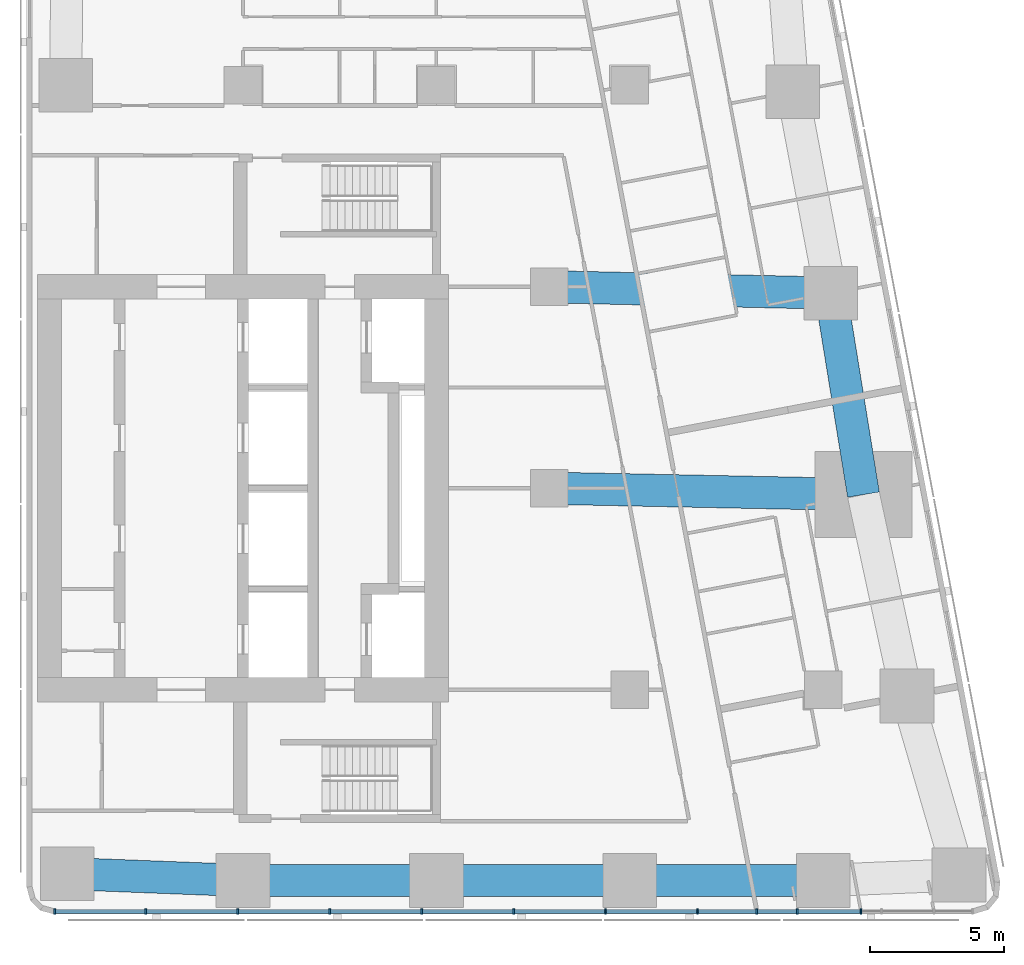
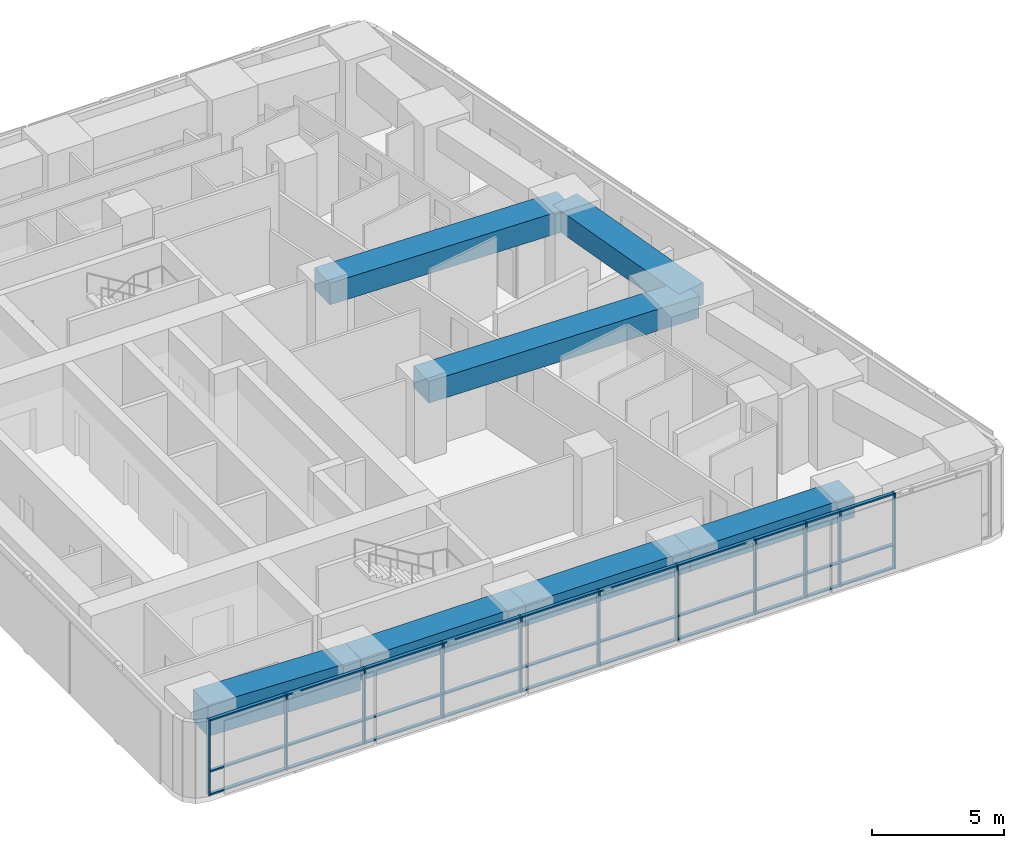
# One storey, part 2 of 11: 41 members, 7 beams, 1 element without a shape of its own.
"""IFC4 building model written with IfcOpenShell, lengths in metres."""

from ifc_helpers import new_model, si_unit, direction, frame, origin, origin_2d, place, context, subcontext, project, spatial, rectangle, extrude, material, material_profile, profile_set, type_object, element, aggregate, save


model = new_model("IFC4")

# Units and contexts
model_context = context("Model", 3, precision=1e-05, world=origin(), true_north=direction((0.0, 1.0)))
body_context = subcontext(model_context, "Body", "Model", "MODEL_VIEW")
ifc_project = project(units=[si_unit("LENGTHUNIT", "METRE"), si_unit("AREAUNIT", "SQUARE_METRE"), si_unit("VOLUMEUNIT", "CUBIC_METRE"), si_unit("PLANEANGLEUNIT", "RADIAN"), si_unit("MASSUNIT", "GRAM", prefix="KILO")], contexts=[model_context])

# Site, building, storey
site_placement = place(None, origin())
site = spatial("IfcSite", under=ifc_project, at=site_placement, CompositionType="ELEMENT")
building_placement = place(site_placement, origin())
building = spatial("IfcBuilding", under=site, at=building_placement, Name="Sheger Commons Tower", CompositionType="ELEMENT")
storey_placement = place(building_placement, frame((0.0, 0.0, 266.60009765625)))
storey = spatial("IfcBuildingStorey", under=building, at=storey_placement, Name="L68", CompositionType="ELEMENT", Elevation=266.60009765625)

# Beams
ifc_material_1 = material(Name="Concrete C50/60", Category="concrete")
ifc_material_profile_1 = material_profile(ifc_material_1, rectangle(XDim=1.199951171875, YDim=1.0, at=origin_2d()), Name="RC 1200x1000")
ifc_profile_set_1 = profile_set([ifc_material_profile_1], Name="Concrete C50/60")
beam_type_1 = type_object("IfcBeamType", Name="BEAM RC 1200x1000", PredefinedType="BEAM", material=ifc_profile_set_1)
beam_1_placement = place(storey_placement, frame((33.0, 22.5, 3.0), z_axis=(0.999794692776, -0.02026258368, 0.0), x_axis=(0.02026258368, 0.999794692776, 0.0)))
element("IfcBeam", 1, at=beam_1_placement, inside=storey, type_object=beam_type_1, Name="Beam 6-3000/D-7/D under L69", PredefinedType="BEAM", context=body_context, shape_type="SweptSolid", body=[
    extrude(rectangle(XDim=1.199951171875, YDim=1.0, at=origin_2d()), origin(), (0.0, 0.0, 1.0), 11.699462890625),
])
beam_2_placement = place(storey_placement, frame((33.0, 30.0, 3.0), z_axis=(0.999744258625, -0.022614538395, 0.0), x_axis=(0.022614538395, 0.999744258625, 0.0)))
element("IfcBeam", 2, at=beam_2_placement, inside=storey, type_object=beam_type_1, Name="Beam 6-3000/E-E/E under L69", PredefinedType="BEAM", context=body_context, shape_type="SweptSolid", body=[
    extrude(rectangle(XDim=1.199951171875, YDim=1.0, at=origin_2d()), origin(), (0.0, 0.0, 1.0), 10.482666015625),
])

# Curtain wall, members
ifc_material_2 = material(Name="Black aluminium curtain wall, dark tinted glazing", Category="aluminium")
curtain_wall_type = type_object("IfcCurtainWallType", Name="CURTAIN WALL CW5 SOUTH GALLERY", PredefinedType="USERDEFINED", material=ifc_material_2)
curtain_wall_placement = place(storey_placement, origin())
curtain_wall = element("IfcCurtainWall", 3, at=curtain_wall_placement, inside=storey, type_object=curtain_wall_type, Name="Curtain Wall Cw5 South Gallery S1 L68", ObjectType="UNITISED CURTAIN WALL", PredefinedType="USERDEFINED")
ifc_material_3 = material(Name="Black anodised aluminium", Category="aluminium")
ifc_material_profile_2 = material_profile(ifc_material_3, rectangle(XDim=0.199951171875, YDim=0.06494140625, at=origin_2d()), Name="AL 65x200")
ifc_profile_set_2 = profile_set([ifc_material_profile_2], Name="Black anodised aluminium")
member_type_1 = type_object("IfcMemberType", Name="MULLION AL 65x200", PredefinedType="MULLION", material=ifc_profile_set_2)
member_1_placement = place(storey_placement, frame((14.595458984375, 6.75, 0.0), z_axis=(0.0, 0.0, 1.0), x_axis=(0.0, 1.0, 0.0)))
member_1 = element("IfcMember", 4, at=member_1_placement, type_object=member_type_1, Name="CW5 mullion 1", PredefinedType="MULLION", context=body_context, shape_type="SweptSolid", body=[
    extrude(rectangle(XDim=0.199951171875, YDim=0.06494140625, at=origin_2d()), origin(), (0.0, 0.0, 1.0), 3.5),
])
member_2_placement = place(storey_placement, frame((17.985107421875, 6.75, 0.0), z_axis=(0.0, 0.0, 1.0), x_axis=(0.0, 1.0, 0.0)))
member_2 = element("IfcMember", 5, at=member_2_placement, type_object=member_type_1, Name="CW5 mullion 2", PredefinedType="MULLION", context=body_context, shape_type="SweptSolid", body=[
    extrude(rectangle(XDim=0.199951171875, YDim=0.06494140625, at=origin_2d()), origin(), (0.0, 0.0, 1.0), 3.5),
])
member_3_placement = place(storey_placement, frame((21.407958984375, 6.75, 0.0), z_axis=(0.0, 0.0, 1.0), x_axis=(0.0, 1.0, 0.0)))
member_3 = element("IfcMember", 6, at=member_3_placement, type_object=member_type_1, Name="CW5 mullion 3", PredefinedType="MULLION", context=body_context, shape_type="SweptSolid", body=[
    extrude(rectangle(XDim=0.199951171875, YDim=0.06494140625, at=origin_2d()), origin(), (0.0, 0.0, 1.0), 3.5),
])
member_4_placement = place(storey_placement, frame((24.830078125, 6.75, 0.0), z_axis=(0.0, 0.0, 1.0), x_axis=(0.0, 1.0, 0.0)))
member_4 = element("IfcMember", 7, at=member_4_placement, type_object=member_type_1, Name="CW5 mullion 4", PredefinedType="MULLION", context=body_context, shape_type="SweptSolid", body=[
    extrude(rectangle(XDim=0.199951171875, YDim=0.06494140625, at=origin_2d()), origin(), (0.0, 0.0, 1.0), 3.5),
])
member_5_placement = place(storey_placement, frame((28.2529296875, 6.75, 0.0), z_axis=(0.0, 0.0, 1.0), x_axis=(0.0, 1.0, 0.0)))
member_5 = element("IfcMember", 8, at=member_5_placement, type_object=member_type_1, Name="CW5 mullion 5", PredefinedType="MULLION", context=body_context, shape_type="SweptSolid", body=[
    extrude(rectangle(XDim=0.199951171875, YDim=0.06494140625, at=origin_2d()), origin(), (0.0, 0.0, 1.0), 3.5),
])
member_6_placement = place(storey_placement, frame((31.675048828125, 6.75, 0.0), z_axis=(0.0, 0.0, 1.0), x_axis=(0.0, 1.0, 0.0)))
member_6 = element("IfcMember", 9, at=member_6_placement, type_object=member_type_1, Name="CW5 mullion 6", PredefinedType="MULLION", context=body_context, shape_type="SweptSolid", body=[
    extrude(rectangle(XDim=0.199951171875, YDim=0.06494140625, at=origin_2d()), origin(), (0.0, 0.0, 1.0), 3.5),
])
member_7_placement = place(storey_placement, frame((35.096923828125, 6.75, 0.0), z_axis=(0.0, 0.0, 1.0), x_axis=(0.0, 1.0, 0.0)))
member_7 = element("IfcMember", 10, at=member_7_placement, type_object=member_type_1, Name="CW5 mullion 7", PredefinedType="MULLION", context=body_context, shape_type="SweptSolid", body=[
    extrude(rectangle(XDim=0.199951171875, YDim=0.06494140625, at=origin_2d()), origin(), (0.0, 0.0, 1.0), 3.5),
])
member_8_placement = place(storey_placement, frame((38.52001953125, 6.75, 0.0), z_axis=(0.0, 0.0, 1.0), x_axis=(0.0, 1.0, 0.0)))
member_8 = element("IfcMember", 11, at=member_8_placement, type_object=member_type_1, Name="CW5 mullion 8", PredefinedType="MULLION", context=body_context, shape_type="SweptSolid", body=[
    extrude(rectangle(XDim=0.199951171875, YDim=0.06494140625, at=origin_2d()), origin(), (0.0, 0.0, 1.0), 3.5),
])
member_9_placement = place(storey_placement, frame((40.72900390625, 6.75, 0.0), z_axis=(0.0, 0.0, 1.0), x_axis=(0.0, 1.0, 0.0)))
member_9 = element("IfcMember", 12, at=member_9_placement, type_object=member_type_1, Name="CW5 mullion 9", PredefinedType="MULLION", context=body_context, shape_type="SweptSolid", body=[
    extrude(rectangle(XDim=0.199951171875, YDim=0.06494140625, at=origin_2d()), origin(), (0.0, 0.0, 1.0), 3.5),
])
member_10_placement = place(storey_placement, frame((42.22802734375, 6.75, 0.0), z_axis=(0.0, 0.0, 1.0), x_axis=(0.0, 1.0, 0.0)))
member_10 = element("IfcMember", 13, at=member_10_placement, type_object=member_type_1, Name="CW5 mullion 10", PredefinedType="MULLION", context=body_context, shape_type="SweptSolid", body=[
    extrude(rectangle(XDim=0.199951171875, YDim=0.06494140625, at=origin_2d()), origin(), (0.0, 0.0, 1.0), 3.5),
])
member_11_placement = place(storey_placement, frame((44.60595703125, 6.75, 0.0), z_axis=(0.0, 0.0, 1.0), x_axis=(0.0, 1.0, 0.0)))
member_11 = element("IfcMember", 14, at=member_11_placement, type_object=member_type_1, Name="CW5 mullion 11", PredefinedType="MULLION", context=body_context, shape_type="SweptSolid", body=[
    extrude(rectangle(XDim=0.199951171875, YDim=0.06494140625, at=origin_2d()), origin(), (0.0, 0.0, 1.0), 3.5),
])

# Beams
ifc_material_4 = material(Name="Concrete C50/60", Category="concrete")
ifc_material_profile_3 = material_profile(ifc_material_4, rectangle(XDim=1.199951171875, YDim=1.0, at=origin_2d()), Name="RC 1200x1000")
ifc_profile_set_3 = profile_set([ifc_material_profile_3], Name="Concrete C50/60")
beam_type_2 = type_object("IfcBeamType", Name="SPANDREL RC 1200x1000", PredefinedType="SPANDREL", material=ifc_profile_set_3)
for number, where, z_axis, x_axis, name in (
    (15, (21.60009765625, 7.89990234375, 3.0), (1.0, 0.0, 0.0), (0.0, 1.0, 0.0), "Beam 4/B-5/B under L69"),
    (16, (28.800048828125, 7.89990234375, 3.0), (1.0, 0.0, 0.0), (0.0, 1.0, 0.0), "Beam 5/B-6/B under L69"),
    (17, (36.0, 7.89990234375, 3.0), (1.0, 0.0, 0.0), (0.0, 1.0, 0.0), "Beam 6/B-7/B under L69"),
):
    element("IfcBeam", number, at=place(storey_placement, frame(where, z_axis=z_axis, x_axis=x_axis)), inside=storey, type_object=beam_type_2, Name=name, PredefinedType="SPANDREL", context=body_context, shape_type="SweptSolid", body=[
        extrude(rectangle(XDim=1.199951171875, YDim=1.0, at=origin_2d()), origin(), (0.0, 0.0, 1.0), 7.199951171875),
    ])
beam_3_placement = place(storey_placement, frame((44.697021484375, 22.262939453125, 3.0), z_axis=(-0.160176929512, 0.987088319884, 0.0), x_axis=(-0.987088319884, -0.160176929512, 0.0)))
element("IfcBeam", 18, at=beam_3_placement, inside=storey, type_object=beam_type_2, Name="Beam E/D-E/E under L69", PredefinedType="SPANDREL", context=body_context, shape_type="SweptSolid", body=[
    extrude(rectangle(XDim=1.199951171875, YDim=1.0, at=origin_2d()), origin(), (0.0, 0.0, 1.0), 7.59814453125),
])
ifc_material_5 = material(Name="Concrete C50/60", Category="concrete")
ifc_material_profile_4 = material_profile(ifc_material_5, rectangle(XDim=1.199951171875, YDim=1.449951171875, at=origin_2d()), Name="RC 1200x1450")
ifc_profile_set_4 = profile_set([ifc_material_profile_4], Name="Concrete C50/60")
beam_type_3 = type_object("IfcBeamType", Name="SPANDREL RC 1200x1450", PredefinedType="SPANDREL", material=ifc_profile_set_4)
beam_4_placement = place(storey_placement, frame((15.053955078125, 8.154052734375, 2.77490234375), z_axis=(0.999247181966, -0.038795223079, 0.0), x_axis=(0.038795223079, 0.999247181966, 0.0)))
element("IfcBeam", 19, at=beam_4_placement, inside=storey, type_object=beam_type_3, Name="Beam 3/B-4/B under L69", PredefinedType="SPANDREL", context=body_context, shape_type="SweptSolid", body=[
    extrude(rectangle(XDim=1.199951171875, YDim=1.449951171875, at=origin_2d()), origin(), (0.0, 0.0, 1.0), 6.551025390625),
])

# Member
ifc_material_6 = material(Name="Black anodised aluminium", Category="aluminium")
ifc_material_profile_5 = material_profile(ifc_material_6, rectangle(XDim=0.14990234375, YDim=0.06494140625, at=origin_2d()), Name="AL 65x150")
ifc_profile_set_5 = profile_set([ifc_material_profile_5], Name="Black anodised aluminium")
member_type_2 = type_object("IfcMemberType", Name="TRANSOM AL 65x150", PredefinedType="USERDEFINED", material=ifc_profile_set_5)
member_12_placement = place(storey_placement, frame((14.6279296875, 6.75, 0.032470703125), z_axis=(1.0, 0.0, 0.0), x_axis=(0.0, 1.0, 0.0)))
member_12 = element("IfcMember", 20, at=member_12_placement, type_object=member_type_2, Name="CW5 transom 1.1", ObjectType="TRANSOM", PredefinedType="USERDEFINED", context=body_context, shape_type="SweptSolid", body=[
    extrude(rectangle(XDim=0.14990234375, YDim=0.06494140625, at=origin_2d()), origin(), (0.0, 0.0, 1.0), 3.324462890625),
])

member_13_placement = place(storey_placement, frame((14.6279296875, 6.75, 1.099853515625), z_axis=(1.0, 0.0, 0.0), x_axis=(0.0, 1.0, 0.0)))
member_13 = element("IfcMember", 21, at=member_13_placement, type_object=member_type_2, Name="CW5 transom 1.2", ObjectType="TRANSOM", PredefinedType="USERDEFINED", context=body_context, shape_type="SweptSolid", body=[
    extrude(rectangle(XDim=0.14990234375, YDim=0.06494140625, at=origin_2d()), origin(), (0.0, 0.0, 1.0), 3.324462890625),
])

member_14_placement = place(storey_placement, frame((14.6279296875, 6.75, 3.46728515625), z_axis=(1.0, 0.0, 0.0), x_axis=(0.0, 1.0, 0.0)))
member_14 = element("IfcMember", 22, at=member_14_placement, type_object=member_type_2, Name="CW5 transom 1.3", ObjectType="TRANSOM", PredefinedType="USERDEFINED", context=body_context, shape_type="SweptSolid", body=[
    extrude(rectangle(XDim=0.14990234375, YDim=0.06494140625, at=origin_2d()), origin(), (0.0, 0.0, 1.0), 3.324462890625),
])

member_15_placement = place(storey_placement, frame((18.017578125, 6.75, 0.032470703125), z_axis=(1.0, 0.0, 0.0), x_axis=(0.0, 1.0, 0.0)))
member_15 = element("IfcMember", 23, at=member_15_placement, type_object=member_type_2, Name="CW5 transom 2.1", ObjectType="TRANSOM", PredefinedType="USERDEFINED", context=body_context, shape_type="SweptSolid", body=[
    extrude(rectangle(XDim=0.14990234375, YDim=0.06494140625, at=origin_2d()), origin(), (0.0, 0.0, 1.0), 3.35791015625),
])

member_16_placement = place(storey_placement, frame((18.017578125, 6.75, 1.099853515625), z_axis=(1.0, 0.0, 0.0), x_axis=(0.0, 1.0, 0.0)))
member_16 = element("IfcMember", 24, at=member_16_placement, type_object=member_type_2, Name="CW5 transom 2.2", ObjectType="TRANSOM", PredefinedType="USERDEFINED", context=body_context, shape_type="SweptSolid", body=[
    extrude(rectangle(XDim=0.14990234375, YDim=0.06494140625, at=origin_2d()), origin(), (0.0, 0.0, 1.0), 3.35791015625),
])

member_17_placement = place(storey_placement, frame((18.017578125, 6.75, 3.46728515625), z_axis=(1.0, 0.0, 0.0), x_axis=(0.0, 1.0, 0.0)))
member_17 = element("IfcMember", 25, at=member_17_placement, type_object=member_type_2, Name="CW5 transom 2.3", ObjectType="TRANSOM", PredefinedType="USERDEFINED", context=body_context, shape_type="SweptSolid", body=[
    extrude(rectangle(XDim=0.14990234375, YDim=0.06494140625, at=origin_2d()), origin(), (0.0, 0.0, 1.0), 3.35791015625),
])

member_18_placement = place(storey_placement, frame((21.4404296875, 6.75, 0.032470703125), z_axis=(1.0, 0.0, 0.0), x_axis=(0.0, 1.0, 0.0)))
member_18 = element("IfcMember", 26, at=member_18_placement, type_object=member_type_2, Name="CW5 transom 3.1", ObjectType="TRANSOM", PredefinedType="USERDEFINED", context=body_context, shape_type="SweptSolid", body=[
    extrude(rectangle(XDim=0.14990234375, YDim=0.06494140625, at=origin_2d()), origin(), (0.0, 0.0, 1.0), 3.357177734375),
])

member_19_placement = place(storey_placement, frame((21.4404296875, 6.75, 1.099853515625), z_axis=(1.0, 0.0, 0.0), x_axis=(0.0, 1.0, 0.0)))
member_19 = element("IfcMember", 27, at=member_19_placement, type_object=member_type_2, Name="CW5 transom 3.2", ObjectType="TRANSOM", PredefinedType="USERDEFINED", context=body_context, shape_type="SweptSolid", body=[
    extrude(rectangle(XDim=0.14990234375, YDim=0.06494140625, at=origin_2d()), origin(), (0.0, 0.0, 1.0), 3.357177734375),
])

member_20_placement = place(storey_placement, frame((21.4404296875, 6.75, 3.46728515625), z_axis=(1.0, 0.0, 0.0), x_axis=(0.0, 1.0, 0.0)))
member_20 = element("IfcMember", 28, at=member_20_placement, type_object=member_type_2, Name="CW5 transom 3.3", ObjectType="TRANSOM", PredefinedType="USERDEFINED", context=body_context, shape_type="SweptSolid", body=[
    extrude(rectangle(XDim=0.14990234375, YDim=0.06494140625, at=origin_2d()), origin(), (0.0, 0.0, 1.0), 3.357177734375),
])

member_21_placement = place(storey_placement, frame((24.862548828125, 6.75, 0.032470703125), z_axis=(1.0, 0.0, 0.0), x_axis=(0.0, 1.0, 0.0)))
member_21 = element("IfcMember", 29, at=member_21_placement, type_object=member_type_2, Name="CW5 transom 4.1", ObjectType="TRANSOM", PredefinedType="USERDEFINED", context=body_context, shape_type="SweptSolid", body=[
    extrude(rectangle(XDim=0.14990234375, YDim=0.06494140625, at=origin_2d()), origin(), (0.0, 0.0, 1.0), 3.35791015625),
])

member_22_placement = place(storey_placement, frame((24.862548828125, 6.75, 1.099853515625), z_axis=(1.0, 0.0, 0.0), x_axis=(0.0, 1.0, 0.0)))
member_22 = element("IfcMember", 30, at=member_22_placement, type_object=member_type_2, Name="CW5 transom 4.2", ObjectType="TRANSOM", PredefinedType="USERDEFINED", context=body_context, shape_type="SweptSolid", body=[
    extrude(rectangle(XDim=0.14990234375, YDim=0.06494140625, at=origin_2d()), origin(), (0.0, 0.0, 1.0), 3.35791015625),
])

member_23_placement = place(storey_placement, frame((24.862548828125, 6.75, 3.46728515625), z_axis=(1.0, 0.0, 0.0), x_axis=(0.0, 1.0, 0.0)))
member_23 = element("IfcMember", 31, at=member_23_placement, type_object=member_type_2, Name="CW5 transom 4.3", ObjectType="TRANSOM", PredefinedType="USERDEFINED", context=body_context, shape_type="SweptSolid", body=[
    extrude(rectangle(XDim=0.14990234375, YDim=0.06494140625, at=origin_2d()), origin(), (0.0, 0.0, 1.0), 3.35791015625),
])

member_24_placement = place(storey_placement, frame((28.285400390625, 6.75, 0.032470703125), z_axis=(1.0, 0.0, 0.0), x_axis=(0.0, 1.0, 0.0)))
member_24 = element("IfcMember", 32, at=member_24_placement, type_object=member_type_2, Name="CW5 transom 5.1", ObjectType="TRANSOM", PredefinedType="USERDEFINED", context=body_context, shape_type="SweptSolid", body=[
    extrude(rectangle(XDim=0.14990234375, YDim=0.06494140625, at=origin_2d()), origin(), (0.0, 0.0, 1.0), 3.357177734375),
])

member_25_placement = place(storey_placement, frame((28.285400390625, 6.75, 1.099853515625), z_axis=(1.0, 0.0, 0.0), x_axis=(0.0, 1.0, 0.0)))
member_25 = element("IfcMember", 33, at=member_25_placement, type_object=member_type_2, Name="CW5 transom 5.2", ObjectType="TRANSOM", PredefinedType="USERDEFINED", context=body_context, shape_type="SweptSolid", body=[
    extrude(rectangle(XDim=0.14990234375, YDim=0.06494140625, at=origin_2d()), origin(), (0.0, 0.0, 1.0), 3.357177734375),
])

member_26_placement = place(storey_placement, frame((28.285400390625, 6.75, 3.46728515625), z_axis=(1.0, 0.0, 0.0), x_axis=(0.0, 1.0, 0.0)))
member_26 = element("IfcMember", 34, at=member_26_placement, type_object=member_type_2, Name="CW5 transom 5.3", ObjectType="TRANSOM", PredefinedType="USERDEFINED", context=body_context, shape_type="SweptSolid", body=[
    extrude(rectangle(XDim=0.14990234375, YDim=0.06494140625, at=origin_2d()), origin(), (0.0, 0.0, 1.0), 3.357177734375),
])

member_27_placement = place(storey_placement, frame((31.70751953125, 6.75, 0.032470703125), z_axis=(1.0, 0.0, 0.0), x_axis=(0.0, 1.0, 0.0)))
member_27 = element("IfcMember", 35, at=member_27_placement, type_object=member_type_2, Name="CW5 transom 6.1", ObjectType="TRANSOM", PredefinedType="USERDEFINED", context=body_context, shape_type="SweptSolid", body=[
    extrude(rectangle(XDim=0.14990234375, YDim=0.06494140625, at=origin_2d()), origin(), (0.0, 0.0, 1.0), 3.35693359375),
])

member_28_placement = place(storey_placement, frame((31.70751953125, 6.75, 1.099853515625), z_axis=(1.0, 0.0, 0.0), x_axis=(0.0, 1.0, 0.0)))
member_28 = element("IfcMember", 36, at=member_28_placement, type_object=member_type_2, Name="CW5 transom 6.2", ObjectType="TRANSOM", PredefinedType="USERDEFINED", context=body_context, shape_type="SweptSolid", body=[
    extrude(rectangle(XDim=0.14990234375, YDim=0.06494140625, at=origin_2d()), origin(), (0.0, 0.0, 1.0), 3.35693359375),
])

member_29_placement = place(storey_placement, frame((31.70751953125, 6.75, 3.46728515625), z_axis=(1.0, 0.0, 0.0), x_axis=(0.0, 1.0, 0.0)))
member_29 = element("IfcMember", 37, at=member_29_placement, type_object=member_type_2, Name="CW5 transom 6.3", ObjectType="TRANSOM", PredefinedType="USERDEFINED", context=body_context, shape_type="SweptSolid", body=[
    extrude(rectangle(XDim=0.14990234375, YDim=0.06494140625, at=origin_2d()), origin(), (0.0, 0.0, 1.0), 3.35693359375),
])

member_30_placement = place(storey_placement, frame((35.12939453125, 6.75, 0.032470703125), z_axis=(1.0, 0.0, 0.0), x_axis=(0.0, 1.0, 0.0)))
member_30 = element("IfcMember", 38, at=member_30_placement, type_object=member_type_2, Name="CW5 transom 7.1", ObjectType="TRANSOM", PredefinedType="USERDEFINED", context=body_context, shape_type="SweptSolid", body=[
    extrude(rectangle(XDim=0.14990234375, YDim=0.06494140625, at=origin_2d()), origin(), (0.0, 0.0, 1.0), 3.358154296875),
])

member_31_placement = place(storey_placement, frame((35.12939453125, 6.75, 1.099853515625), z_axis=(1.0, 0.0, 0.0), x_axis=(0.0, 1.0, 0.0)))
member_31 = element("IfcMember", 39, at=member_31_placement, type_object=member_type_2, Name="CW5 transom 7.2", ObjectType="TRANSOM", PredefinedType="USERDEFINED", context=body_context, shape_type="SweptSolid", body=[
    extrude(rectangle(XDim=0.14990234375, YDim=0.06494140625, at=origin_2d()), origin(), (0.0, 0.0, 1.0), 3.358154296875),
])

member_32_placement = place(storey_placement, frame((35.12939453125, 6.75, 3.46728515625), z_axis=(1.0, 0.0, 0.0), x_axis=(0.0, 1.0, 0.0)))
member_32 = element("IfcMember", 40, at=member_32_placement, type_object=member_type_2, Name="CW5 transom 7.3", ObjectType="TRANSOM", PredefinedType="USERDEFINED", context=body_context, shape_type="SweptSolid", body=[
    extrude(rectangle(XDim=0.14990234375, YDim=0.06494140625, at=origin_2d()), origin(), (0.0, 0.0, 1.0), 3.358154296875),
])

member_33_placement = place(storey_placement, frame((38.552490234375, 6.75, 0.032470703125), z_axis=(1.0, 0.0, 0.0), x_axis=(0.0, 1.0, 0.0)))
member_33 = element("IfcMember", 41, at=member_33_placement, type_object=member_type_2, Name="CW5 transom 8.1", ObjectType="TRANSOM", PredefinedType="USERDEFINED", context=body_context, shape_type="SweptSolid", body=[
    extrude(rectangle(XDim=0.14990234375, YDim=0.06494140625, at=origin_2d()), origin(), (0.0, 0.0, 1.0), 2.14404296875),
])

member_34_placement = place(storey_placement, frame((38.552490234375, 6.75, 1.099853515625), z_axis=(1.0, 0.0, 0.0), x_axis=(0.0, 1.0, 0.0)))
member_34 = element("IfcMember", 42, at=member_34_placement, type_object=member_type_2, Name="CW5 transom 8.2", ObjectType="TRANSOM", PredefinedType="USERDEFINED", context=body_context, shape_type="SweptSolid", body=[
    extrude(rectangle(XDim=0.14990234375, YDim=0.06494140625, at=origin_2d()), origin(), (0.0, 0.0, 1.0), 2.14404296875),
])

member_35_placement = place(storey_placement, frame((38.552490234375, 6.75, 3.46728515625), z_axis=(1.0, 0.0, 0.0), x_axis=(0.0, 1.0, 0.0)))
member_35 = element("IfcMember", 43, at=member_35_placement, type_object=member_type_2, Name="CW5 transom 8.3", ObjectType="TRANSOM", PredefinedType="USERDEFINED", context=body_context, shape_type="SweptSolid", body=[
    extrude(rectangle(XDim=0.14990234375, YDim=0.06494140625, at=origin_2d()), origin(), (0.0, 0.0, 1.0), 2.14404296875),
])

member_36_placement = place(storey_placement, frame((40.761474609375, 6.75, 0.032470703125), z_axis=(1.0, 0.0, 0.0), x_axis=(0.0, 1.0, 0.0)))
member_36 = element("IfcMember", 44, at=member_36_placement, type_object=member_type_2, Name="CW5 transom 9.1", ObjectType="TRANSOM", PredefinedType="USERDEFINED", context=body_context, shape_type="SweptSolid", body=[
    extrude(rectangle(XDim=0.14990234375, YDim=0.06494140625, at=origin_2d()), origin(), (0.0, 0.0, 1.0), 1.43408203125),
])

member_37_placement = place(storey_placement, frame((40.761474609375, 6.75, 1.099853515625), z_axis=(1.0, 0.0, 0.0), x_axis=(0.0, 1.0, 0.0)))
member_37 = element("IfcMember", 45, at=member_37_placement, type_object=member_type_2, Name="CW5 transom 9.2", ObjectType="TRANSOM", PredefinedType="USERDEFINED", context=body_context, shape_type="SweptSolid", body=[
    extrude(rectangle(XDim=0.14990234375, YDim=0.06494140625, at=origin_2d()), origin(), (0.0, 0.0, 1.0), 1.43408203125),
])

member_38_placement = place(storey_placement, frame((40.761474609375, 6.75, 3.46728515625), z_axis=(1.0, 0.0, 0.0), x_axis=(0.0, 1.0, 0.0)))
member_38 = element("IfcMember", 46, at=member_38_placement, type_object=member_type_2, Name="CW5 transom 9.3", ObjectType="TRANSOM", PredefinedType="USERDEFINED", context=body_context, shape_type="SweptSolid", body=[
    extrude(rectangle(XDim=0.14990234375, YDim=0.06494140625, at=origin_2d()), origin(), (0.0, 0.0, 1.0), 1.43408203125),
])

member_39_placement = place(storey_placement, frame((42.260498046875, 6.75, 0.032470703125), z_axis=(1.0, 0.0, 0.0), x_axis=(0.0, 1.0, 0.0)))
member_39 = element("IfcMember", 47, at=member_39_placement, type_object=member_type_2, Name="CW5 transom 10.1", ObjectType="TRANSOM", PredefinedType="USERDEFINED", context=body_context, shape_type="SweptSolid", body=[
    extrude(rectangle(XDim=0.14990234375, YDim=0.06494140625, at=origin_2d()), origin(), (0.0, 0.0, 1.0), 2.31298828125),
])

member_40_placement = place(storey_placement, frame((42.260498046875, 6.75, 1.099853515625), z_axis=(1.0, 0.0, 0.0), x_axis=(0.0, 1.0, 0.0)))
member_40 = element("IfcMember", 48, at=member_40_placement, type_object=member_type_2, Name="CW5 transom 10.2", ObjectType="TRANSOM", PredefinedType="USERDEFINED", context=body_context, shape_type="SweptSolid", body=[
    extrude(rectangle(XDim=0.14990234375, YDim=0.06494140625, at=origin_2d()), origin(), (0.0, 0.0, 1.0), 2.31298828125),
])

member_41_placement = place(storey_placement, frame((42.260498046875, 6.75, 3.46728515625), z_axis=(1.0, 0.0, 0.0), x_axis=(0.0, 1.0, 0.0)))
member_41 = element("IfcMember", 49, at=member_41_placement, type_object=member_type_2, Name="CW5 transom 10.3", ObjectType="TRANSOM", PredefinedType="USERDEFINED", context=body_context, shape_type="SweptSolid", body=[
    extrude(rectangle(XDim=0.14990234375, YDim=0.06494140625, at=origin_2d()), origin(), (0.0, 0.0, 1.0), 2.31298828125),
])

aggregate(curtain_wall, [member_1, member_2, member_3, member_4, member_5, member_6, member_7, member_8, member_9, member_10, member_11, member_12, member_13, member_14, member_15, member_16, member_17, member_18, member_19, member_20, member_21, member_22, member_23, member_24, member_25, member_26, member_27, member_28, member_29, member_30, member_31, member_32, member_33, member_34, member_35, member_36, member_37, member_38, member_39, member_40, member_41])

save(model, "model.ifc")
